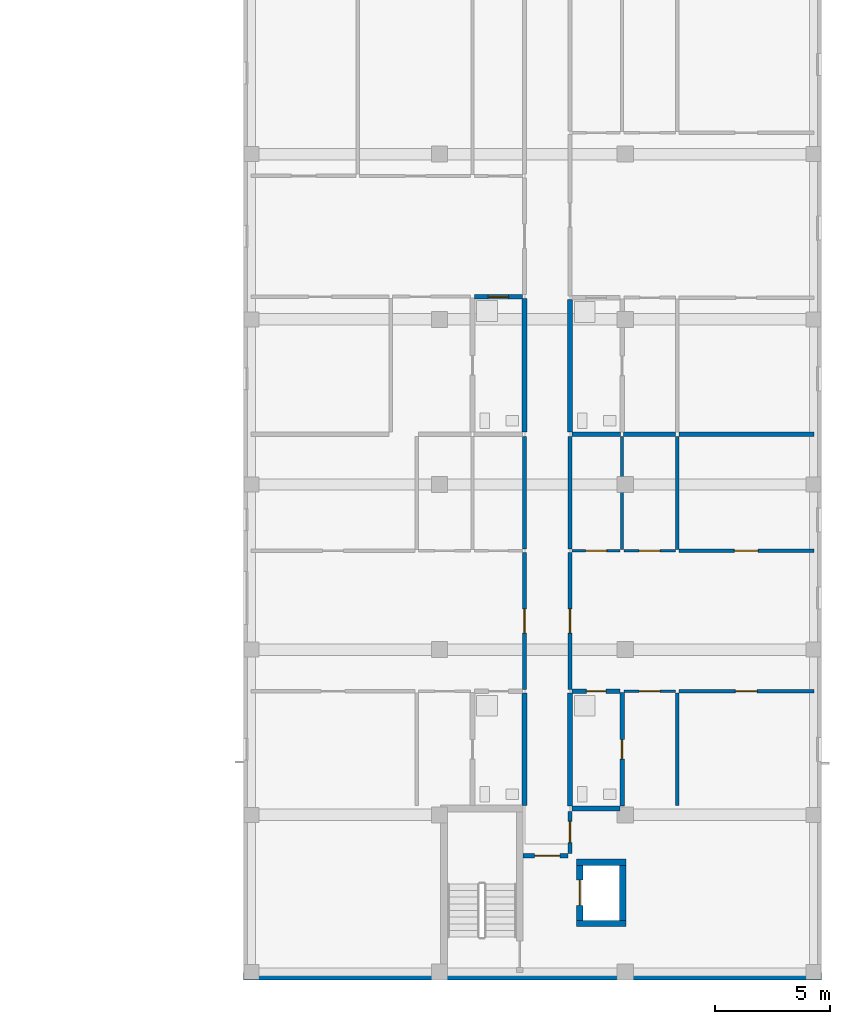
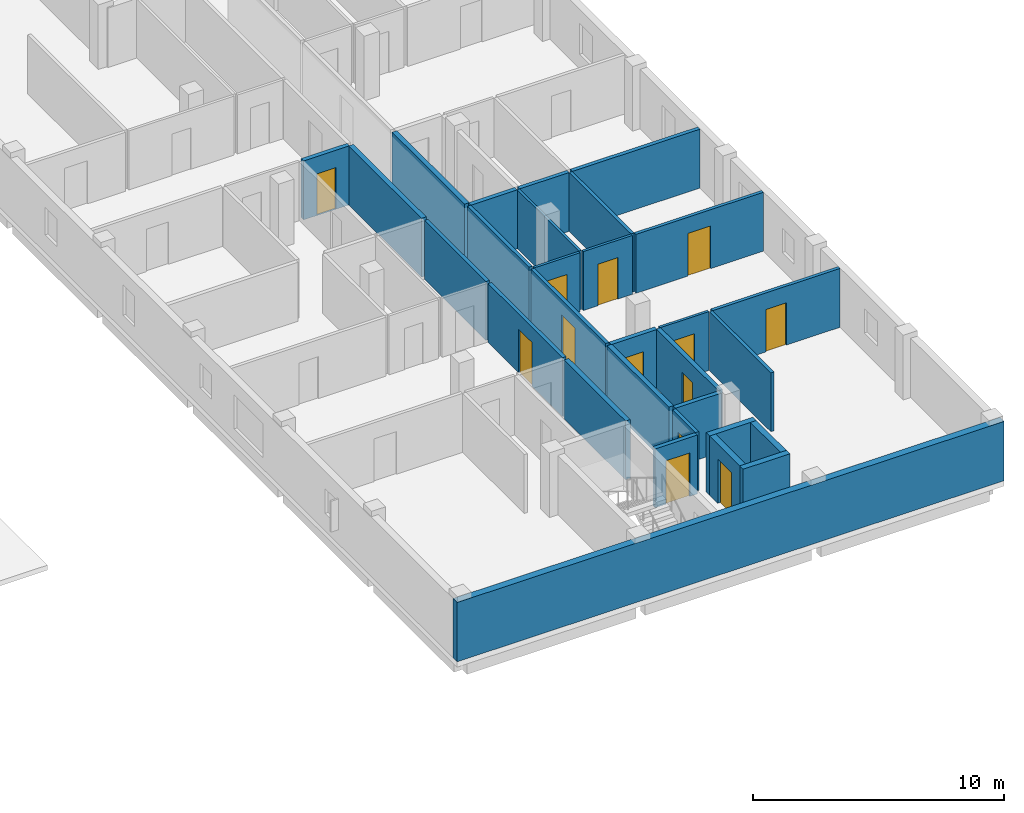
# One storey, part 31 of 51: 30 walls, 13 doors, 13 openings.
"""IFC4 building model written with IfcOpenShell, lengths in metres."""

from ifc_helpers import new_model, si_unit, derived_unit, direction, frame, frame_2d, origin, place, context, subcontext, project, spatial, rectangle, extrude, material, layer, layer_set, type_object, element, fill, save


model = new_model("IFC4")

# Units and contexts
model_context = context("Model", 3, precision=1e-05, world=origin(), true_north=direction((0.0, 1.0)))
body_context = subcontext(model_context, "Body", "Model", "MODEL_VIEW")
ifc_project = project(units=[si_unit("LENGTHUNIT", "METRE"), si_unit("AREAUNIT", "SQUARE_METRE"), si_unit("VOLUMEUNIT", "CUBIC_METRE"), si_unit("PLANEANGLEUNIT", "RADIAN"), si_unit("MASSUNIT", "GRAM", prefix="KILO"), derived_unit("THERMALTRANSMITTANCEUNIT", [(si_unit("MASSUNIT", "GRAM", prefix="KILO"), 1), (si_unit("TIMEUNIT", "SECOND"), -3), (si_unit("THERMODYNAMICTEMPERATUREUNIT", "KELVIN"), -1)])], contexts=[model_context])

# Site, building, storey
site_placement = place(None, origin())
site = spatial("IfcSite", under=ifc_project, at=site_placement, CompositionType="ELEMENT")
building_placement = place(site_placement, origin())
building = spatial("IfcBuilding", under=site, at=building_placement, Name="Ochrekiln Boulevard Commons", CompositionType="ELEMENT")
storey_placement = place(building_placement, frame((0.0, 0.0, 15.22509765625)))
storey = spatial("IfcBuildingStorey", under=building, at=storey_placement, Name="L04", CompositionType="ELEMENT", Elevation=15.22509765625)

# Walls
ifc_material_1 = material(Name="Desert ochre clinker brick masonry ASTM C216 Grade SW", Category="masonry")
ifc_layer_1 = layer(ifc_material_1, 0.330078125)
ifc_layer_set_1 = layer_set([ifc_layer_1], Name="Desert ochre clinker brick masonry ASTM C216 Grade SW")
wall_type_1 = type_object("IfcWallType", Name="WL-EXT-OCHRE-330", PredefinedType="SOLIDWALL", material=ifc_layer_set_1)
wall_1_placement = place(storey_placement, frame((147.60009765625, 0.1650390625, 0.0), z_axis=(0.0, 0.0, 1.0), x_axis=(1.0, 0.0, 0.0)))
element("IfcWall", 1, at=wall_1_placement, inside=storey, type_object=wall_type_1, Name="Block C L04 S Exterior Wall", PredefinedType="SOLIDWALL", context=body_context, shape_type="SweptSolid", body=[
    extrude(rectangle(XDim=25.199951171875, YDim=0.330078125, at=frame_2d((12.60009765625, 0.0))), origin(), (0.0, 0.0, 1.0), 2.889892578125),
])
ifc_material_2 = material(Name="Moisture-resistant cementitious tile backer wall")
ifc_layer_2 = layer(ifc_material_2, 0.199951171875)
ifc_layer_set_2 = layer_set([ifc_layer_2], Name="Moisture-resistant cementitious tile backer wall")
wall_type_2 = type_object("IfcWallType", Name="WL-PLM-200", PredefinedType="PLUMBINGWALL", material=ifc_layer_set_2)
wall_2_placement = place(storey_placement, frame((161.923095703125, 7.47509765625, 0.0), z_axis=(0.0, 0.0, 1.0), x_axis=(1.0, 0.0, 0.0)))
element("IfcWall", 2, at=wall_2_placement, inside=storey, type_object=wall_type_2, Name="L04 Interior Wall W-PW200", PredefinedType="PLUMBINGWALL", context=body_context, shape_type="SweptSolid", body=[
    extrude(rectangle(XDim=2.10693359375, YDim=0.199951171875, at=frame_2d((1.053466796875, 0.0))), origin(), (0.0, 0.0, 1.0), 2.869873046875),
])

# Wall, opening, door
wall_3_placement = place(storey_placement, frame((157.669921875, 29.7919921875, 0.0), z_axis=(0.0, 0.0, 1.0), x_axis=(1.0, 0.0, 0.0)))
wall_3 = element("IfcWall", 3, at=wall_3_placement, inside=storey, type_object=wall_type_2, Name="L04 Interior Wall W-PW200", PredefinedType="PLUMBINGWALL", context=body_context, shape_type="SweptSolid", body=[
    extrude(rectangle(XDim=2.108154296875, YDim=0.199951171875, at=frame_2d((1.05419921875, 0.0))), origin(), (0.0, 0.0, 1.0), 2.869873046875),
])
opening_1_placement = place(wall_3_placement, frame((0.60498046875, 0.0, 0.0)))
opening_1 = element("IfcOpeningElement", 4, at=opening_1_placement, cuts=wall_3, Name="Opening D-L04-627", PredefinedType="OPENING", context=body_context, shape_type="SweptSolid", body=[
    extrude(rectangle(XDim=0.889892578125, YDim=2.030029296875, at=frame_2d((0.44482421875, 1.01513671875))), frame((0.0, 0.10986328125, 0.0), z_axis=(0.0, -1.0, 0.0), x_axis=(1.0, 0.0, 0.0)), (0.0, 0.0, 1.0), 0.219970703125),
])
ifc_material_3 = material(Name="Solid core architectural oak door leaf")
door_type_1 = type_object("IfcDoorType", Name="DR-INT-BTH-089", OperationType="NOTDEFINED", PredefinedType="DOOR", material=ifc_material_3)
door_1_placement = place(opening_1_placement, frame((0.889892578125, 0.0, 0.0), z_axis=(0.0, 0.0, 1.0), x_axis=(-1.0, 0.0, 0.0)))
door_1 = element("IfcDoor", 5, at=door_1_placement, inside=storey, type_object=door_type_1, Name="L04 Interior Door to Apartment Bathroom", OperationType="SINGLE_SWING_LEFT", OverallHeight=2.030029296875, OverallWidth=0.889892578125, PredefinedType="DOOR", context=body_context, shape_type="SweptSolid", body=[
    extrude(rectangle(XDim=0.889892578125, YDim=2.030029296875, at=frame_2d((0.44482421875, 1.01513671875))), frame((0.0, 0.02490234375, 0.0), z_axis=(0.0, -1.0, 0.0), x_axis=(1.0, 0.0, 0.0)), (0.0, 0.0, 1.0), 0.050048828125),
])
fill(opening_1, door_1)

wall_4_placement = place(storey_placement, frame((161.923095703125, 12.592041015625, 0.0), z_axis=(0.0, 0.0, 1.0), x_axis=(1.0, 0.0, 0.0)))
wall_4 = element("IfcWall", 6, at=wall_4_placement, inside=storey, type_object=wall_type_2, Name="L04 Interior Wall W-PW200", PredefinedType="PLUMBINGWALL", context=body_context, shape_type="SweptSolid", body=[
    extrude(rectangle(XDim=2.10693359375, YDim=0.199951171875, at=frame_2d((1.053466796875, 0.0))), origin(), (0.0, 0.0, 1.0), 2.869873046875),
])
opening_2_placement = place(wall_4_placement, frame((0.626953125, 0.0, 0.0)))
opening_2 = element("IfcOpeningElement", 7, at=opening_2_placement, cuts=wall_4, Name="Opening D-L04-634", PredefinedType="OPENING", context=body_context, shape_type="SweptSolid", body=[
    extrude(rectangle(XDim=0.860107421875, YDim=2.0, at=frame_2d((0.43017578125, 1.0))), frame((0.0, 0.10986328125, 0.0), z_axis=(0.0, -1.0, 0.0), x_axis=(1.0, 0.0, 0.0)), (0.0, 0.0, 1.0), 0.219970703125),
])
door_type_2 = type_object("IfcDoorType", Name="DR-INT-BTH-086", OperationType="NOTDEFINED", PredefinedType="DOOR", material=ifc_material_3)
door_2_placement = place(opening_2_placement, frame((0.860107421875, 0.0, 0.0), z_axis=(0.0, 0.0, 1.0), x_axis=(-1.0, 0.0, 0.0)))
door_2 = element("IfcDoor", 8, at=door_2_placement, inside=storey, type_object=door_type_2, Name="L04 Interior Door to Apartment Bathroom", OperationType="SINGLE_SWING_RIGHT", OverallHeight=2.0, OverallWidth=0.860107421875, PredefinedType="DOOR", context=body_context, shape_type="SweptSolid", body=[
    extrude(rectangle(XDim=0.860107421875, YDim=2.0, at=frame_2d((0.43017578125, 1.0))), frame((0.0, 0.02490234375, 0.0), z_axis=(0.0, -1.0, 0.0), x_axis=(1.0, 0.0, 0.0)), (0.0, 0.0, 1.0), 0.050048828125),
])
fill(opening_2, door_2)

wall_5_placement = place(storey_placement, frame((164.110107421875, 7.574951171875, 0.0), z_axis=(0.0, 0.0, 1.0), x_axis=(0.0, 1.0, 0.0)))
wall_5 = element("IfcWall", 9, at=wall_5_placement, inside=storey, type_object=wall_type_2, Name="L04 Interior Wall W-PW200", PredefinedType="PLUMBINGWALL", context=body_context, shape_type="SweptSolid", body=[
    extrude(rectangle(XDim=4.95703125, YDim=0.199951171875, at=frame_2d((2.478515625, 0.0))), origin(), (0.0, 0.0, 1.0), 2.869873046875),
])
opening_3_placement = place(wall_5_placement, frame((2.055908203125, 0.0, 0.0)))
opening_3 = element("IfcOpeningElement", 10, at=opening_3_placement, cuts=wall_5, Name="Opening D-L04-640", PredefinedType="OPENING", context=body_context, shape_type="SweptSolid", body=[
    extrude(rectangle(XDim=0.85009765625, YDim=2.010009765625, at=frame_2d((0.425048828125, 1.0048828125))), frame((0.0, 0.10986328125, 0.0), z_axis=(0.0, -1.0, 0.0), x_axis=(1.0, 0.0, 0.0)), (0.0, 0.0, 1.0), 0.219970703125),
])
door_type_3 = type_object("IfcDoorType", Name="DR-INT-KIT-085", OperationType="NOTDEFINED", PredefinedType="DOOR", material=ifc_material_3)
door_3_placement = place(opening_3_placement, origin())
door_3 = element("IfcDoor", 11, at=door_3_placement, inside=storey, type_object=door_type_3, Name="L04 Interior Door to Apartment Bathroom", OperationType="SINGLE_SWING_RIGHT", OverallHeight=2.010009765625, OverallWidth=0.85009765625, PredefinedType="DOOR", context=body_context, shape_type="SweptSolid", body=[
    extrude(rectangle(XDim=0.85009765625, YDim=2.010009765625, at=frame_2d((0.425048828125, 1.0048828125))), frame((0.0, 0.02490234375, 0.0), z_axis=(0.0, -1.0, 0.0), x_axis=(1.0, 0.0, 0.0)), (0.0, 0.0, 1.0), 0.050048828125),
])
fill(opening_3, door_3)

# Walls
wall_6_placement = place(storey_placement, frame((161.923095703125, 23.7919921875, 0.0), z_axis=(0.0, 0.0, 1.0), x_axis=(1.0, 0.0, 0.0)))
element("IfcWall", 12, at=wall_6_placement, inside=storey, type_object=wall_type_2, Name="L04 Interior Wall W-PW200", PredefinedType="PLUMBINGWALL", context=body_context, shape_type="SweptSolid", body=[
    extrude(rectangle(XDim=2.126953125, YDim=0.199951171875, at=frame_2d((1.0634765625, 0.0))), origin(), (0.0, 0.0, 1.0), 2.869873046875),
])
ifc_layer_3 = layer(ifc_material_2, 0.219970703125)
ifc_layer_set_3 = layer_set([ifc_layer_3], Name="Moisture-resistant cementitious tile backer wall")
wall_type_3 = type_object("IfcWallType", Name="WL-PLM-220", PredefinedType="PLUMBINGWALL", material=ifc_layer_set_3)
wall_7_placement = place(storey_placement, frame((159.860107421875, 7.60009765625, 0.0), z_axis=(0.0, 0.0, 1.0), x_axis=(0.0, 1.0, 0.0)))
element("IfcWall", 13, at=wall_7_placement, inside=storey, type_object=wall_type_3, Name="L04 Interior Wall W-PW220", PredefinedType="PLUMBINGWALL", context=body_context, shape_type="SweptSolid", body=[
    extrude(rectangle(XDim=4.911865234375, YDim=0.219970703125, at=frame_2d((2.4560546875, 0.0))), origin(), (0.0, 0.0, 1.0), 2.869873046875),
])
wall_8_placement = place(storey_placement, frame((159.860107421875, 23.882080078125, 0.0), z_axis=(0.0, 0.0, 1.0), x_axis=(0.0, 1.0, 0.0)))
element("IfcWall", 14, at=wall_8_placement, inside=storey, type_object=wall_type_3, Name="L04 Interior Wall W-PW220", PredefinedType="PLUMBINGWALL", context=body_context, shape_type="SweptSolid", body=[
    extrude(rectangle(XDim=5.829833984375, YDim=0.219970703125, at=frame_2d((2.9150390625, 0.0))), origin(), (0.0, 0.0, 1.0), 2.869873046875),
])
wall_9_placement = place(storey_placement, frame((161.840087890625, 7.574951171875, 0.0), z_axis=(0.0, 0.0, 1.0), x_axis=(0.0, 1.0, 0.0)))
element("IfcWall", 15, at=wall_9_placement, inside=storey, type_object=wall_type_3, Name="L04 Interior Wall W-PW220", PredefinedType="PLUMBINGWALL", context=body_context, shape_type="SweptSolid", body=[
    extrude(rectangle(XDim=4.93701171875, YDim=0.219970703125, at=frame_2d((2.468505859375, 0.0))), origin(), (0.0, 0.0, 1.0), 2.869873046875),
])
wall_10_placement = place(storey_placement, frame((161.840087890625, 23.882080078125, 0.0), z_axis=(0.0, 0.0, 1.0), x_axis=(0.0, 1.0, 0.0)))
element("IfcWall", 16, at=wall_10_placement, inside=storey, type_object=wall_type_3, Name="L04 Interior Wall W-PW220", PredefinedType="PLUMBINGWALL", context=body_context, shape_type="SweptSolid", body=[
    extrude(rectangle(XDim=5.784912109375, YDim=0.219970703125, at=frame_2d((2.892578125, 0.0))), origin(), (0.0, 0.0, 1.0), 2.869873046875),
])

# Wall, opening, door
ifc_material_4 = material(Name="Fire-rated Type X gypsum board on steel studs", Category="steel")
ifc_layer_4 = layer(ifc_material_4, 0.1650390625)
ifc_layer_set_4 = layer_set([ifc_layer_4], Name="Fire-rated Type X gypsum board on steel studs")
wall_type_4 = type_object("IfcWallType", Name="WL-PT-CORR-165", PredefinedType="PARTITIONING", material=ifc_layer_set_4)
wall_11_placement = place(storey_placement, frame((161.840087890625, 5.514892578125, 0.0), z_axis=(0.0, 0.0, 1.0), x_axis=(0.0, 1.0, 0.0)))
wall_11 = element("IfcWall", 17, at=wall_11_placement, inside=storey, type_object=wall_type_4, Name="L04 Interior Wall W-PC165", PredefinedType="PARTITIONING", context=body_context, shape_type="SweptSolid", body=[
    extrude(rectangle(XDim=1.835205078125, YDim=0.1650390625, at=frame_2d((0.91748046875, 0.0))), origin(), (0.0, 0.0, 1.0), 2.869873046875),
])
opening_4_placement = place(wall_11_placement, frame((0.47509765625, 0.0, 0.0)))
opening_4 = element("IfcOpeningElement", 18, at=opening_4_placement, cuts=wall_11, Name="Opening D-L04-615", PredefinedType="OPENING", context=body_context, shape_type="SweptSolid", body=[
    extrude(rectangle(XDim=0.919921875, YDim=2.0400390625, at=frame_2d((0.4599609375, 1.02001953125))), frame((0.0, 0.092529296875, 0.0), z_axis=(0.0, -1.0, 0.0), x_axis=(1.0, 0.0, 0.0)), (0.0, 0.0, 1.0), 0.18505859375),
])
ifc_material_5 = material(Name="Hollow metal fire-rated steel door assembly", Category="steel")
door_type_4 = type_object("IfcDoorType", Name="DR-SRV-90", OperationType="NOTDEFINED", PredefinedType="DOOR", material=ifc_material_5)
door_4_placement = place(opening_4_placement, frame((0.919921875, 0.0, 0.0), z_axis=(0.0, 0.0, 1.0), x_axis=(-1.0, 0.0, 0.0)))
door_4 = element("IfcDoor", 19, at=door_4_placement, inside=storey, type_object=door_type_4, Name="L04 Interior Door to Hydronic and Electrical Riser Room", OperationType="SINGLE_SWING_LEFT", OverallHeight=2.0400390625, OverallWidth=0.919921875, PredefinedType="DOOR", context=body_context, shape_type="SweptSolid", body=[
    extrude(rectangle(XDim=0.919921875, YDim=2.0400390625, at=frame_2d((0.4599609375, 1.02001953125))), frame((0.0, 0.02490234375, 0.0), z_axis=(0.0, -1.0, 0.0), x_axis=(1.0, 0.0, 0.0)), (0.0, 0.0, 1.0), 0.050048828125),
])
fill(opening_4, door_4)

wall_12_placement = place(storey_placement, frame((159.860107421875, 12.672119140625, 0.0), z_axis=(0.0, 0.0, 1.0), x_axis=(0.0, 1.0, 0.0)))
wall_12 = element("IfcWall", 20, at=wall_12_placement, inside=storey, type_object=wall_type_4, Name="L04 Interior Wall W-PC165", PredefinedType="PARTITIONING", context=body_context, shape_type="SweptSolid", body=[
    extrude(rectangle(XDim=5.957763671875, YDim=0.1650390625, at=frame_2d((2.97900390625, 0.0))), origin(), (0.0, 0.0, 1.0), 2.869873046875),
])
opening_5_placement = place(wall_12_placement, frame((2.4541015625, 0.0, 0.0)))
opening_5 = element("IfcOpeningElement", 21, at=opening_5_placement, cuts=wall_12, Name="Opening D-L04-616", PredefinedType="OPENING", context=body_context, shape_type="SweptSolid", body=[
    extrude(rectangle(XDim=1.050048828125, YDim=2.1298828125, at=frame_2d((0.52490234375, 1.06494140625))), frame((0.0, 0.092529296875, 0.0), z_axis=(0.0, -1.0, 0.0), x_axis=(1.0, 0.0, 0.0)), (0.0, 0.0, 1.0), 0.18505859375),
])
door_type_5 = type_object("IfcDoorType", Name="DR-INT-APT-105", OperationType="NOTDEFINED", PredefinedType="DOOR", material=ifc_material_3)
door_5_placement = place(opening_5_placement, origin())
door_5 = element("IfcDoor", 22, at=door_5_placement, inside=storey, type_object=door_type_5, Name="L04 Interior Door to Two-Bedroom Apartment Living Room", OperationType="SINGLE_SWING_RIGHT", OverallHeight=2.1298828125, OverallWidth=1.050048828125, PredefinedType="DOOR", context=body_context, shape_type="SweptSolid", body=[
    extrude(rectangle(XDim=1.050048828125, YDim=2.1298828125, at=frame_2d((0.52490234375, 1.06494140625))), frame((0.0, 0.02490234375, 0.0), z_axis=(0.0, -1.0, 0.0), x_axis=(1.0, 0.0, 0.0)), (0.0, 0.0, 1.0), 0.050048828125),
])
fill(opening_5, door_5)

# Wall
wall_13_placement = place(storey_placement, frame((159.860107421875, 18.7900390625, 0.0), z_axis=(0.0, 0.0, 1.0), x_axis=(0.0, 1.0, 0.0)))
element("IfcWall", 23, at=wall_13_placement, inside=storey, type_object=wall_type_4, Name="L04 Interior Wall W-PC165", PredefinedType="PARTITIONING", context=body_context, shape_type="SweptSolid", body=[
    extrude(rectangle(XDim=4.911865234375, YDim=0.1650390625, at=frame_2d((2.4560546875, 0.0))), origin(), (0.0, 0.0, 1.0), 2.869873046875),
])

# Wall, opening, door
wall_14_placement = place(storey_placement, frame((161.840087890625, 12.672119140625, 0.0), z_axis=(0.0, 0.0, 1.0), x_axis=(0.0, 1.0, 0.0)))
wall_14 = element("IfcWall", 24, at=wall_14_placement, inside=storey, type_object=wall_type_4, Name="L04 Interior Wall W-PC165", PredefinedType="PARTITIONING", context=body_context, shape_type="SweptSolid", body=[
    extrude(rectangle(XDim=5.957763671875, YDim=0.1650390625, at=frame_2d((2.97900390625, 0.0))), origin(), (0.0, 0.0, 1.0), 2.869873046875),
])
opening_6_placement = place(wall_14_placement, frame((2.4541015625, 0.0, 0.0)))
opening_6 = element("IfcOpeningElement", 25, at=opening_6_placement, cuts=wall_14, Name="Opening D-L04-618", PredefinedType="OPENING", context=body_context, shape_type="SweptSolid", body=[
    extrude(rectangle(XDim=1.050048828125, YDim=2.1298828125, at=frame_2d((0.52490234375, 1.06494140625))), frame((0.0, 0.092529296875, 0.0), z_axis=(0.0, -1.0, 0.0), x_axis=(1.0, 0.0, 0.0)), (0.0, 0.0, 1.0), 0.18505859375),
])
door_6_placement = place(opening_6_placement, frame((1.050048828125, 0.0, 0.0), z_axis=(0.0, 0.0, 1.0), x_axis=(-1.0, 0.0, 0.0)))
door_6 = element("IfcDoor", 26, at=door_6_placement, inside=storey, type_object=door_type_5, Name="L04 Interior Door to Two-Bedroom Apartment Living Room", OperationType="SINGLE_SWING_RIGHT", OverallHeight=2.1298828125, OverallWidth=1.050048828125, PredefinedType="DOOR", context=body_context, shape_type="SweptSolid", body=[
    extrude(rectangle(XDim=1.050048828125, YDim=2.1298828125, at=frame_2d((0.52490234375, 1.06494140625))), frame((0.0, 0.02490234375, 0.0), z_axis=(0.0, -1.0, 0.0), x_axis=(1.0, 0.0, 0.0)), (0.0, 0.0, 1.0), 0.050048828125),
])
fill(opening_6, door_6)

# Walls
wall_15_placement = place(storey_placement, frame((161.840087890625, 18.7900390625, 0.0), z_axis=(0.0, 0.0, 1.0), x_axis=(0.0, 1.0, 0.0)))
element("IfcWall", 27, at=wall_15_placement, inside=storey, type_object=wall_type_4, Name="L04 Interior Wall W-PC165", PredefinedType="PARTITIONING", context=body_context, shape_type="SweptSolid", body=[
    extrude(rectangle(XDim=4.911865234375, YDim=0.1650390625, at=frame_2d((2.4560546875, 0.0))), origin(), (0.0, 0.0, 1.0), 2.869873046875),
])
ifc_layer_5 = layer(ifc_material_4, 0.179931640625)
ifc_layer_set_5 = layer_set([ifc_layer_5], Name="Fire-rated Type X gypsum board on steel studs")
wall_type_5 = type_object("IfcWallType", Name="WL-PT-DEM-180", PredefinedType="PARTITIONING", material=ifc_layer_set_5)
wall_16_placement = place(storey_placement, frame((166.60009765625, 23.7919921875, 0.0), z_axis=(0.0, 0.0, 1.0), x_axis=(1.0, 0.0, 0.0)))
element("IfcWall", 28, at=wall_16_placement, inside=storey, type_object=wall_type_5, Name="L04 Interior Wall W-PD180", PredefinedType="PARTITIONING", context=body_context, shape_type="SweptSolid", body=[
    extrude(rectangle(XDim=5.869873046875, YDim=0.179931640625, at=frame_2d((2.93505859375, 0.0))), origin(), (0.0, 0.0, 1.0), 2.869873046875),
])
wall_17_placement = place(storey_placement, frame((164.169921875, 23.7919921875, 0.0), z_axis=(0.0, 0.0, 1.0), x_axis=(1.0, 0.0, 0.0)))
element("IfcWall", 29, at=wall_17_placement, inside=storey, type_object=wall_type_5, Name="L04 Interior Wall W-PD180", PredefinedType="PARTITIONING", context=body_context, shape_type="SweptSolid", body=[
    extrude(rectangle(XDim=2.275146484375, YDim=0.179931640625, at=frame_2d((1.1376953125, 0.0))), origin(), (0.0, 0.0, 1.0), 2.869873046875),
])

# Wall, opening, door
ifc_layer_6 = layer(ifc_material_4, 0.18994140625)
ifc_layer_set_6 = layer_set([ifc_layer_6], Name="Fire-rated Type X gypsum board on steel studs")
wall_type_6 = type_object("IfcWallType", Name="WL-PT-LBY-190", PredefinedType="PARTITIONING", material=ifc_layer_set_6)
wall_18_placement = place(storey_placement, frame((159.800048828125, 5.419921875, 0.0), z_axis=(0.0, 0.0, 1.0), x_axis=(1.0, 0.0, 0.0)))
wall_18 = element("IfcWall", 30, at=wall_18_placement, inside=storey, type_object=wall_type_6, Name="L04 Interior Wall W-PL190", PredefinedType="PARTITIONING", context=body_context, shape_type="SweptSolid", body=[
    extrude(rectangle(XDim=1.949951171875, YDim=0.18994140625, at=frame_2d((0.97509765625, 0.0))), origin(), (0.0, 0.0, 1.0), 2.869873046875),
])
opening_7_placement = place(wall_18_placement, frame((0.5, 0.0, 0.0)))
opening_7 = element("IfcOpeningElement", 31, at=opening_7_placement, cuts=wall_18, Name="Opening D-L04-613", PredefinedType="OPENING", context=body_context, shape_type="SweptSolid", body=[
    extrude(rectangle(XDim=1.10009765625, YDim=2.1201171875, at=frame_2d((0.550048828125, 1.06005859375))), frame((0.0, 0.10498046875, 0.0), z_axis=(0.0, -1.0, 0.0), x_axis=(1.0, 0.0, 0.0)), (0.0, 0.0, 1.0), 0.2099609375),
])
door_type_6 = type_object("IfcDoorType", Name="DR-LOBBY-60", OperationType="NOTDEFINED", PredefinedType="DOOR", material=ifc_material_5)
door_7_placement = place(opening_7_placement, frame((1.10009765625, 0.0, 0.0), z_axis=(0.0, 0.0, 1.0), x_axis=(-1.0, 0.0, 0.0)))
door_7 = element("IfcDoor", 32, at=door_7_placement, inside=storey, type_object=door_type_6, Name="L04 Interior Door to Passenger Elevator Lobby", OperationType="SINGLE_SWING_LEFT", OverallHeight=2.1201171875, OverallWidth=1.10009765625, PredefinedType="DOOR", context=body_context, shape_type="SweptSolid", body=[
    extrude(rectangle(XDim=1.10009765625, YDim=2.1201171875, at=frame_2d((0.550048828125, 1.06005859375))), frame((0.0, 0.02490234375, 0.0), z_axis=(0.0, -1.0, 0.0), x_axis=(1.0, 0.0, 0.0)), (0.0, 0.0, 1.0), 0.050048828125),
])
fill(opening_7, door_7)

ifc_layer_7 = layer(ifc_material_4, 0.1201171875)
ifc_layer_set_7 = layer_set([ifc_layer_7], Name="Fire-rated Type X gypsum board on steel studs")
wall_type_7 = type_object("IfcWallType", Name="WL-PT-LGT-120", PredefinedType="PARTITIONING", material=ifc_layer_set_7)
wall_19_placement = place(storey_placement, frame((161.923095703125, 18.7099609375, 0.0), z_axis=(0.0, 0.0, 1.0), x_axis=(1.0, 0.0, 0.0)))
wall_19 = element("IfcWall", 33, at=wall_19_placement, inside=storey, type_object=wall_type_7, Name="L04 Interior Wall W-PL120", PredefinedType="PARTITIONING", context=body_context, shape_type="SweptSolid", body=[
    extrude(rectangle(XDim=2.10693359375, YDim=0.1201171875, at=frame_2d((1.053466796875, 0.0))), origin(), (0.0, 0.0, 1.0), 2.869873046875),
])
opening_8_placement = place(wall_19_placement, frame((0.596923828125, 0.0, 0.0)))
opening_8 = element("IfcOpeningElement", 34, at=opening_8_placement, cuts=wall_19, Name="Opening D-L04-635", PredefinedType="OPENING", context=body_context, shape_type="SweptSolid", body=[
    extrude(rectangle(XDim=0.919921875, YDim=2.02001953125, at=frame_2d((0.4599609375, 1.010009765625))), frame((0.0, 0.070068359375, 0.0), z_axis=(0.0, -1.0, 0.0), x_axis=(1.0, 0.0, 0.0)), (0.0, 0.0, 1.0), 0.14013671875),
])
door_type_7 = type_object("IfcDoorType", Name="DR-INT-KIT-092", OperationType="NOTDEFINED", PredefinedType="DOOR", material=ifc_material_3)
door_8_placement = place(opening_8_placement, origin())
door_8 = element("IfcDoor", 35, at=door_8_placement, inside=storey, type_object=door_type_7, Name="L04 Interior Door to Apartment Kitchen", OperationType="SINGLE_SWING_LEFT", OverallHeight=2.02001953125, OverallWidth=0.919921875, PredefinedType="DOOR", context=body_context, shape_type="SweptSolid", body=[
    extrude(rectangle(XDim=0.919921875, YDim=2.02001953125, at=frame_2d((0.4599609375, 1.010009765625))), frame((0.0, 0.02490234375, 0.0), z_axis=(0.0, -1.0, 0.0), x_axis=(1.0, 0.0, 0.0)), (0.0, 0.0, 1.0), 0.050048828125),
])
fill(opening_8, door_8)

wall_20_placement = place(storey_placement, frame((164.18994140625, 12.592041015625, 0.0), z_axis=(0.0, 0.0, 1.0), x_axis=(1.0, 0.0, 0.0)))
wall_20 = element("IfcWall", 36, at=wall_20_placement, inside=storey, type_object=wall_type_7, Name="L04 Interior Wall W-PL120", PredefinedType="PARTITIONING", context=body_context, shape_type="SweptSolid", body=[
    extrude(rectangle(XDim=2.25, YDim=0.1201171875, at=frame_2d((1.125, 0.0))), origin(), (0.0, 0.0, 1.0), 2.869873046875),
])
opening_9_placement = place(wall_20_placement, frame((0.6650390625, 0.0, 0.0)))
opening_9 = element("IfcOpeningElement", 37, at=opening_9_placement, cuts=wall_20, Name="Opening D-L04-637", PredefinedType="OPENING", context=body_context, shape_type="SweptSolid", body=[
    extrude(rectangle(XDim=0.919921875, YDim=2.02001953125, at=frame_2d((0.4599609375, 1.010009765625))), frame((0.0, 0.070068359375, 0.0), z_axis=(0.0, -1.0, 0.0), x_axis=(1.0, 0.0, 0.0)), (0.0, 0.0, 1.0), 0.14013671875),
])
door_9_placement = place(opening_9_placement, frame((0.919921875, 0.0, 0.0), z_axis=(0.0, 0.0, 1.0), x_axis=(-1.0, 0.0, 0.0)))
door_9 = element("IfcDoor", 38, at=door_9_placement, inside=storey, type_object=door_type_7, Name="L04 Interior Door to Apartment Walk-In Wardrobe", OperationType="SINGLE_SWING_LEFT", OverallHeight=2.02001953125, OverallWidth=0.919921875, PredefinedType="DOOR", context=body_context, shape_type="SweptSolid", body=[
    extrude(rectangle(XDim=0.919921875, YDim=2.02001953125, at=frame_2d((0.4599609375, 1.010009765625))), frame((0.0, 0.02490234375, 0.0), z_axis=(0.0, -1.0, 0.0), x_axis=(1.0, 0.0, 0.0)), (0.0, 0.0, 1.0), 0.050048828125),
])
fill(opening_9, door_9)

wall_21_placement = place(storey_placement, frame((164.18994140625, 18.7099609375, 0.0), z_axis=(0.0, 0.0, 1.0), x_axis=(1.0, 0.0, 0.0)))
wall_21 = element("IfcWall", 39, at=wall_21_placement, inside=storey, type_object=wall_type_7, Name="L04 Interior Wall W-PL120", PredefinedType="PARTITIONING", context=body_context, shape_type="SweptSolid", body=[
    extrude(rectangle(XDim=2.25, YDim=0.1201171875, at=frame_2d((1.125, 0.0))), origin(), (0.0, 0.0, 1.0), 2.869873046875),
])
opening_10_placement = place(wall_21_placement, frame((0.6650390625, 0.0, 0.0)))
opening_10 = element("IfcOpeningElement", 40, at=opening_10_placement, cuts=wall_21, Name="Opening D-L04-639", PredefinedType="OPENING", context=body_context, shape_type="SweptSolid", body=[
    extrude(rectangle(XDim=0.919921875, YDim=2.02001953125, at=frame_2d((0.4599609375, 1.010009765625))), frame((0.0, 0.070068359375, 0.0), z_axis=(0.0, -1.0, 0.0), x_axis=(1.0, 0.0, 0.0)), (0.0, 0.0, 1.0), 0.14013671875),
])
door_10_placement = place(opening_10_placement, origin())
door_10 = element("IfcDoor", 41, at=door_10_placement, inside=storey, type_object=door_type_7, Name="L04 Interior Door to Apartment Walk-In Wardrobe", OperationType="SINGLE_SWING_LEFT", OverallHeight=2.02001953125, OverallWidth=0.919921875, PredefinedType="DOOR", context=body_context, shape_type="SweptSolid", body=[
    extrude(rectangle(XDim=0.919921875, YDim=2.02001953125, at=frame_2d((0.4599609375, 1.010009765625))), frame((0.0, 0.02490234375, 0.0), z_axis=(0.0, -1.0, 0.0), x_axis=(1.0, 0.0, 0.0)), (0.0, 0.0, 1.0), 0.050048828125),
])
fill(opening_10, door_10)

# Wall
wall_22_placement = place(storey_placement, frame((164.110107421875, 18.77001953125, 0.0), z_axis=(0.0, 0.0, 1.0), x_axis=(0.0, 1.0, 0.0)))
element("IfcWall", 42, at=wall_22_placement, inside=storey, type_object=wall_type_7, Name="L04 Interior Wall W-PL120", PredefinedType="PARTITIONING", context=body_context, shape_type="SweptSolid", body=[
    extrude(rectangle(XDim=4.931884765625, YDim=0.1201171875, at=frame_2d((2.4658203125, 0.0))), origin(), (0.0, 0.0, 1.0), 2.869873046875),
])

# Wall, opening, door
ifc_layer_8 = layer(ifc_material_4, 0.14990234375)
ifc_layer_set_8 = layer_set([ifc_layer_8], Name="Fire-rated Type X gypsum board on steel studs")
wall_type_8 = type_object("IfcWallType", Name="WL-PT-STD-150", PredefinedType="PARTITIONING", material=ifc_layer_set_8)
wall_23_placement = place(storey_placement, frame((166.60009765625, 12.592041015625, 0.0), z_axis=(0.0, 0.0, 1.0), x_axis=(1.0, 0.0, 0.0)))
wall_23 = element("IfcWall", 43, at=wall_23_placement, inside=storey, type_object=wall_type_8, Name="L04 Interior Wall W-PS150", PredefinedType="PARTITIONING", context=body_context, shape_type="SweptSolid", body=[
    extrude(rectangle(XDim=5.869873046875, YDim=0.14990234375, at=frame_2d((2.93505859375, 0.0))), origin(), (0.0, 0.0, 1.0), 2.869873046875),
])
opening_11_placement = place(wall_23_placement, frame((2.455078125, 0.0, 0.0)))
opening_11 = element("IfcOpeningElement", 44, at=opening_11_placement, cuts=wall_23, Name="Opening D-L04-636", PredefinedType="OPENING", context=body_context, shape_type="SweptSolid", body=[
    extrude(rectangle(XDim=0.93994140625, YDim=2.06005859375, at=frame_2d((0.469970703125, 1.030029296875))), frame((0.0, 0.0849609375, 0.0), z_axis=(0.0, -1.0, 0.0), x_axis=(1.0, 0.0, 0.0)), (0.0, 0.0, 1.0), 0.169921875),
])
door_type_8 = type_object("IfcDoorType", Name="DR-INT-BED-094", OperationType="NOTDEFINED", PredefinedType="DOOR", material=ifc_material_3)
door_11_placement = place(opening_11_placement, frame((0.93994140625, 0.0, 0.0), z_axis=(0.0, 0.0, 1.0), x_axis=(-1.0, 0.0, 0.0)))
door_11 = element("IfcDoor", 45, at=door_11_placement, inside=storey, type_object=door_type_8, Name="L04 Interior Door to Primary Apartment Bedroom", OperationType="SINGLE_SWING_RIGHT", OverallHeight=2.06005859375, OverallWidth=0.93994140625, PredefinedType="DOOR", context=body_context, shape_type="SweptSolid", body=[
    extrude(rectangle(XDim=0.93994140625, YDim=2.06005859375, at=frame_2d((0.469970703125, 1.030029296875))), frame((0.0, 0.02490234375, 0.0), z_axis=(0.0, -1.0, 0.0), x_axis=(1.0, 0.0, 0.0)), (0.0, 0.0, 1.0), 0.050048828125),
])
fill(opening_11, door_11)

wall_24_placement = place(storey_placement, frame((166.60009765625, 18.7099609375, 0.0), z_axis=(0.0, 0.0, 1.0), x_axis=(1.0, 0.0, 0.0)))
wall_24 = element("IfcWall", 46, at=wall_24_placement, inside=storey, type_object=wall_type_8, Name="L04 Interior Wall W-PS150", PredefinedType="PARTITIONING", context=body_context, shape_type="SweptSolid", body=[
    extrude(rectangle(XDim=5.869873046875, YDim=0.14990234375, at=frame_2d((2.93505859375, 0.0))), origin(), (0.0, 0.0, 1.0), 2.869873046875),
])
opening_12_placement = place(wall_24_placement, frame((2.405029296875, 0.0, 0.0)))
opening_12 = element("IfcOpeningElement", 47, at=opening_12_placement, cuts=wall_24, Name="Opening D-L04-638", PredefinedType="OPENING", context=body_context, shape_type="SweptSolid", body=[
    extrude(rectangle(XDim=1.0400390625, YDim=2.080078125, at=frame_2d((0.52001953125, 1.0400390625))), frame((0.0, 0.0849609375, 0.0), z_axis=(0.0, -1.0, 0.0), x_axis=(1.0, 0.0, 0.0)), (0.0, 0.0, 1.0), 0.169921875),
])
door_type_9 = type_object("IfcDoorType", Name="DR-INT-BED-104", OperationType="NOTDEFINED", PredefinedType="DOOR", material=ifc_material_3)
door_12_placement = place(opening_12_placement, origin())
door_12 = element("IfcDoor", 48, at=door_12_placement, inside=storey, type_object=door_type_9, Name="L04 Interior Door to Secondary Apartment Bedroom", OperationType="SINGLE_SWING_RIGHT", OverallHeight=2.080078125, OverallWidth=1.0400390625, PredefinedType="DOOR", context=body_context, shape_type="SweptSolid", body=[
    extrude(rectangle(XDim=1.0400390625, YDim=2.080078125, at=frame_2d((0.52001953125, 1.0400390625))), frame((0.0, 0.02490234375, 0.0), z_axis=(0.0, -1.0, 0.0), x_axis=(1.0, 0.0, 0.0)), (0.0, 0.0, 1.0), 0.050048828125),
])
fill(opening_12, door_12)

# Walls
wall_25_placement = place(storey_placement, frame((166.52001953125, 7.60009765625, 0.0), z_axis=(0.0, 0.0, 1.0), x_axis=(0.0, 1.0, 0.0)))
element("IfcWall", 49, at=wall_25_placement, inside=storey, type_object=wall_type_8, Name="L04 Interior Wall W-PS150", PredefinedType="PARTITIONING", context=body_context, shape_type="SweptSolid", body=[
    extrude(rectangle(XDim=4.9169921875, YDim=0.14990234375, at=frame_2d((2.45849609375, 0.0))), origin(), (0.0, 0.0, 1.0), 2.869873046875),
])
wall_26_placement = place(storey_placement, frame((166.52001953125, 18.77001953125, 0.0), z_axis=(0.0, 0.0, 1.0), x_axis=(0.0, 1.0, 0.0)))
element("IfcWall", 50, at=wall_26_placement, inside=storey, type_object=wall_type_8, Name="L04 Interior Wall W-PS150", PredefinedType="PARTITIONING", context=body_context, shape_type="SweptSolid", body=[
    extrude(rectangle(XDim=4.931884765625, YDim=0.14990234375, at=frame_2d((2.4658203125, 0.0))), origin(), (0.0, 0.0, 1.0), 2.869873046875),
])
ifc_material_6 = material(Name="Concrete C40/50", Category="concrete")
ifc_layer_9 = layer(ifc_material_6, 0.27490234375)
ifc_layer_set_9 = layer_set([ifc_layer_9], Name="Concrete C40/50")
wall_type_9 = type_object("IfcWallType", Name="WL-SH-275", PredefinedType="SHEAR", material=ifc_layer_set_9)
for number, where, z_axis, x_axis, name in (
    (51, (162.125, 2.46240234375, 0.0), (0.0, 0.0, 1.0), (1.0, 0.0, 0.0), "Elevator LP-C1 L04 Hoistway Shear Wall"),
    (52, (162.125, 5.137451171875, 0.0), (0.0, 0.0, 1.0), (1.0, 0.0, 0.0), "Elevator LP-C1 L04 Hoistway Shear Wall"),
):
    element("IfcWall", number, at=place(storey_placement, frame(where, z_axis=z_axis, x_axis=x_axis)), inside=storey, type_object=wall_type_9, Name=name, PredefinedType="SHEAR", context=body_context, shape_type="SweptSolid", body=[
        extrude(rectangle(XDim=2.14990234375, YDim=0.27490234375, at=frame_2d((1.074951171875, 0.0))), origin(), (0.0, 0.0, 1.0), 2.889892578125),
    ])

# Wall, opening, door
wall_27_placement = place(storey_placement, frame((162.262451171875, 2.60009765625, 0.0), z_axis=(0.0, 0.0, 1.0), x_axis=(0.0, 1.0, 0.0)))
wall_27 = element("IfcWall", 53, at=wall_27_placement, inside=storey, type_object=wall_type_9, Name="Elevator LP-C1 L04 Hoistway Shear Wall", PredefinedType="SHEAR", context=body_context, shape_type="SweptSolid", body=[
    extrude(rectangle(XDim=2.39990234375, YDim=0.27490234375, at=frame_2d((1.199951171875, 0.0))), origin(), (0.0, 0.0, 1.0), 2.889892578125),
])
opening_13_placement = place(wall_27_placement, frame((0.64990234375, 0.0, 0.0)))
opening_13 = element("IfcOpeningElement", 54, at=opening_13_placement, cuts=wall_27, Name="Opening LD-LP-C1-L04", PredefinedType="OPENING", context=body_context, shape_type="SweptSolid", body=[
    extrude(rectangle(XDim=1.10009765625, YDim=2.14990234375, at=frame_2d((0.550048828125, 1.074951171875))), frame((0.0, 0.1474609375, 0.0), z_axis=(0.0, -1.0, 0.0), x_axis=(1.0, 0.0, 0.0)), (0.0, 0.0, 1.0), 0.294921875),
])
ifc_material_7 = material(Name="Brushed stainless steel 316 elevator cab and doors", Category="steel")
door_type_10 = type_object("IfcDoorType", Name="DR-LIFT-LD90", OperationType="SLIDING_TO_LEFT", PredefinedType="DOOR", material=ifc_material_7)
door_13_placement = place(opening_13_placement, origin())
door_13 = element("IfcDoor", 55, at=door_13_placement, inside=storey, type_object=door_type_10, Name="Elevator LP-C1 L04 Sliding Landing Door LD-LP-C1-L04", OperationType="SLIDING_TO_LEFT", OverallHeight=2.14990234375, OverallWidth=1.10009765625, PredefinedType="DOOR", context=body_context, shape_type="SweptSolid", body=[
    extrude(rectangle(XDim=1.10009765625, YDim=2.14990234375, at=frame_2d((0.550048828125, 1.074951171875))), frame((0.0, 0.02490234375, 0.0), z_axis=(0.0, -1.0, 0.0), x_axis=(1.0, 0.0, 0.0)), (0.0, 0.0, 1.0), 0.050048828125),
])
fill(opening_13, door_13)

# Wall
wall_28_placement = place(storey_placement, frame((164.137451171875, 2.60009765625, 0.0), z_axis=(0.0, 0.0, 1.0), x_axis=(0.0, 1.0, 0.0)))
element("IfcWall", 56, at=wall_28_placement, inside=storey, type_object=wall_type_9, Name="Elevator LP-C1 L04 Hoistway Shear Wall", PredefinedType="SHEAR", context=body_context, shape_type="SweptSolid", body=[
    extrude(rectangle(XDim=2.39990234375, YDim=0.27490234375, at=frame_2d((1.199951171875, 0.0))), origin(), (0.0, 0.0, 1.0), 2.889892578125),
])

save(model, "model.ifc")
